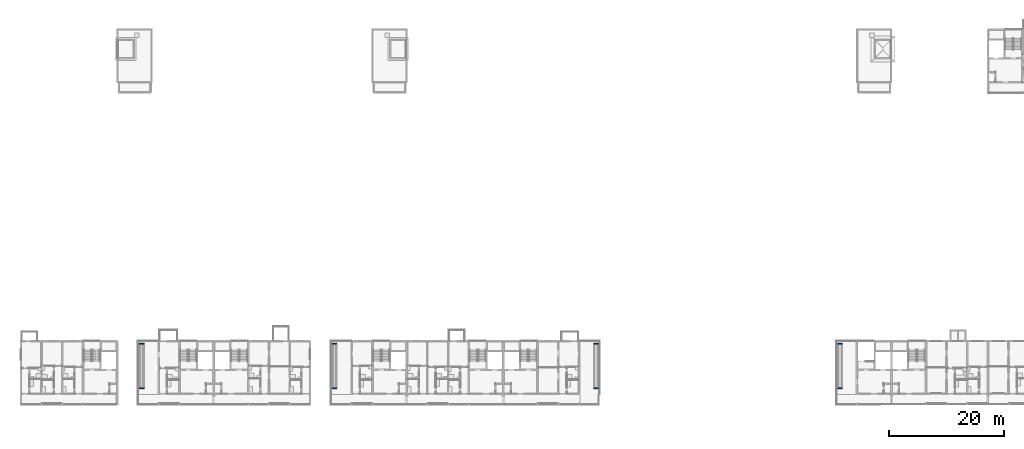
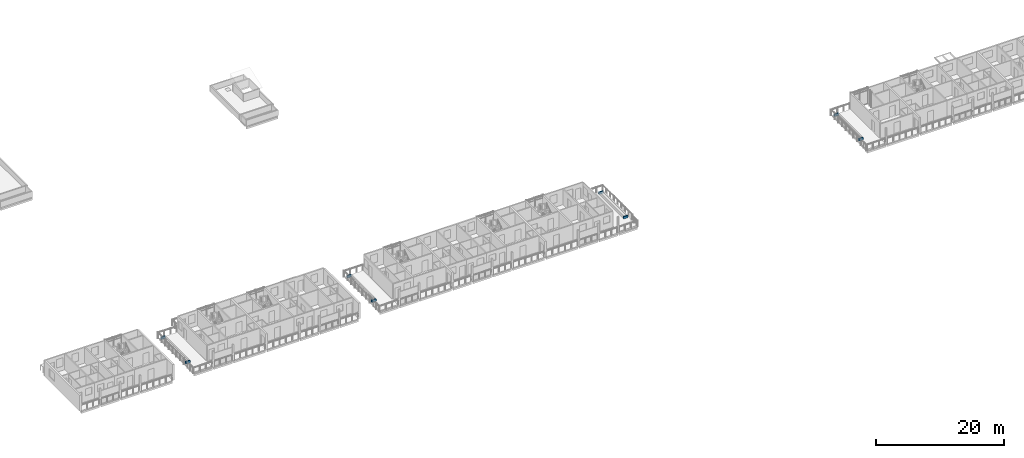
# One storey, part 41 of 64: 8 walls.
"""IFC4 building model written with IfcOpenShell, lengths in metres."""

import ifcopenshell
import ifcopenshell.guid

model = None  # the IFC model being written
_history = None  # IfcOwnerHistory: only IFC2X3 demands one
_inside = {}  # id of a spatial element -> (the spatial element, [elements in it])
_under = {}  # id of a project, library or spatial element -> (it, [spatial elements below it])
_declared = {}  # id of a project -> (the project, [libraries it declares])
_typed = {}  # id of a type object -> (the type object, [elements of that type])
_made_of = {}  # id of a material, layer set ... -> (it, [elements and type objects made of it])


def new_model(schema):
    """Start an empty IFC model of exactly this schema.

    Asked for "IFC4X3", IfcOpenShell would pick the latest addendum, in which some entities
    have other attributes; the version numbers below select the first issue.
    IFC2X3 requires an IfcOwnerHistory on every rooted entity: one is made here for all.
    """
    global model, _history
    if schema == "IFC4X3":
        model = ifcopenshell.file(schema_version=(4, 3, 0, 0))
    else:
        model = ifcopenshell.file(schema=schema)
    _inside.clear()
    _under.clear()
    _declared.clear()
    _typed.clear()
    _made_of.clear()
    _history = None
    if model.schema == "IFC2X3":
        org = make("IfcOrganization", Name="unknown")
        user = make(
            "IfcPersonAndOrganization",
            ThePerson=make("IfcPerson", FamilyName="unknown"),
            TheOrganization=org,
        )
        app = make(
            "IfcApplication",
            ApplicationDeveloper=org,
            Version="unknown",
            ApplicationFullName="unknown",
            ApplicationIdentifier="unknown",
        )
        _history = make(
            "IfcOwnerHistory",
            OwningUser=user,
            OwningApplication=app,
            ChangeAction="ADDED",
            CreationDate=0,
        )
    return model


def make(cls, **values):
    """One entity of the class cls with the attributes given. An attribute that is None is left unset."""
    return model.create_entity(
        cls, **{name: value for name, value in values.items() if value is not None}
    )


def rooted(cls, **values):
    """An entity with a GlobalId (a new one), such as an element, a storey or a relation."""
    return make(cls, GlobalId=ifcopenshell.guid.new(), OwnerHistory=_history, **values)


def si_unit(unit_type, name, prefix=None):
    """IfcSIUnit, for example si_unit("LENGTHUNIT", "METRE", prefix="MILLI")."""
    return make("IfcSIUnit", UnitType=unit_type, Prefix=prefix, Name=name)


def assignment(units):
    """IfcUnitAssignment: the units of a project."""
    return None if units is None else make("IfcUnitAssignment", Units=units)


def point(xyz):
    """IfcCartesianPoint."""
    return None if xyz is None else make("IfcCartesianPoint", Coordinates=xyz)


def direction(xyz):
    """IfcDirection."""
    return None if xyz is None else make("IfcDirection", DirectionRatios=xyz)


def frame(location, z_axis=None, x_axis=None):
    """IfcAxis2Placement3D, a coordinate frame: its origin and axes. An axis left out is left unset."""
    return make(
        "IfcAxis2Placement3D",
        Location=point(location),
        Axis=direction(z_axis),
        RefDirection=direction(x_axis),
    )


def frame_2d(location, x_axis=None):
    """IfcAxis2Placement2D, a coordinate frame in the plane: its origin and x axis."""
    return make(
        "IfcAxis2Placement2D", Location=point(location), RefDirection=direction(x_axis)
    )


def origin():
    """The frame at (0, 0, 0) with its axes left unset."""
    return frame((0.0, 0.0, 0.0))


def place(relative_to, where):
    """IfcLocalPlacement: puts the frame where relative to a parent placement (None: the world)."""
    return make(
        "IfcLocalPlacement", PlacementRelTo=relative_to, RelativePlacement=where
    )


def context(
    kind, dimensions, precision=None, world=None, true_north=None, identifier=None
):
    """IfcGeometricRepresentationContext, for example the 3D "Model" context."""
    return make(
        "IfcGeometricRepresentationContext",
        ContextIdentifier=identifier,
        ContextType=kind,
        CoordinateSpaceDimension=dimensions,
        Precision=precision,
        WorldCoordinateSystem=world,
        TrueNorth=true_north,
    )


def subcontext(parent, identifier, kind, view, scale=None):
    """IfcGeometricRepresentationSubContext, for example "Body" below "Model"."""
    return make(
        "IfcGeometricRepresentationSubContext",
        ContextIdentifier=identifier,
        ContextType=kind,
        ParentContext=parent,
        TargetScale=scale,
        TargetView=view,
    )


def project(units=None, contexts=None):
    """IfcProject with its units and contexts."""
    return rooted(
        "IfcProject",
        Name="project",
        RepresentationContexts=contexts,
        UnitsInContext=assignment(units),
    )


def spatial(cls, under=None, at=None, **own):
    """A site, building, storey or space (cls), placed at a placement, below another one or the project."""
    s = rooted(cls, ObjectPlacement=at, **own)
    if under is not None:
        _under.setdefault(under.id(), (under, []))[1].append(s)
    return s


def profile(cls, at=None, kind="AREA", **sizes):
    """A parametric profile (cls). Its sizes go by their IFC names, for example OverallWidth=200.0."""
    return make(cls, ProfileType=kind, Position=at, **sizes)


def rectangle(**sizes):
    """IfcRectangleProfileDef."""
    return profile("IfcRectangleProfileDef", **sizes)


def extrude(swept, where, along, depth):
    """IfcExtrudedAreaSolid: the profile swept, set in the frame where, extruded along a direction by depth."""
    return make(
        "IfcExtrudedAreaSolid",
        SweptArea=swept,
        Position=where,
        ExtrudedDirection=direction(along),
        Depth=depth,
    )


def shape(context_of_items, identifier, shape_type, items):
    """IfcShapeRepresentation: the items that make up one representation, for example the "Body"."""
    return make(
        "IfcShapeRepresentation",
        ContextOfItems=context_of_items,
        RepresentationIdentifier=identifier,
        RepresentationType=shape_type,
        Items=items,
    )


def material(Name=None, Category=None):
    """IfcMaterial."""
    return make("IfcMaterial", Name=Name, Category=Category)


def layer(
    of_material, thickness, ventilated=None, Name=None, Category=None, Priority=None
):
    """IfcMaterialLayer: one layer of a wall or slab, of a material (None: an air gap)."""
    return make(
        "IfcMaterialLayer",
        Material=of_material,
        LayerThickness=thickness,
        IsVentilated=ventilated,
        Name=Name,
        Category=Category,
        Priority=Priority,
    )


def layer_set(layers, Name=None):
    """IfcMaterialLayerSet."""
    return make("IfcMaterialLayerSet", MaterialLayers=layers, LayerSetName=Name)


def made_of(thing, what):
    """Note that an element or type object is made of a material, layer set ...; save() writes the relation."""
    if what is not None:
        _made_of.setdefault(what.id(), (what, []))[1].append(thing)
    return thing


def type_object(cls, material=None, **own):
    """A type object (cls), such as IfcWallType, which elements share."""
    return made_of(rooted(cls, **own), material)


def element(
    cls,
    number,
    at=None,
    inside=None,
    cuts=None,
    type_object=None,
    material=None,
    context=None,
    identifier="Body",
    shape_type=None,
    held_by="IfcProductDefinitionShape",
    body=None,
    shapes=None,
    **own,
):
    """One element of the class cls, such as IfcWall. Its Tag is "e" and its number.

    at: its placement. inside: the storey or other place that contains it. cuts: it is an
    opening in that element (IfcRelVoidsElement). A single representation is given by context,
    identifier, shape_type and body (its items); several are given by shapes. held_by: the class
    of the entity that holds the representations. save() writes the other relations.
    """
    e = rooted(cls, Tag="e%d" % number, ObjectPlacement=at, **own)
    if body is not None:
        shapes = [shape(context, identifier, shape_type, body)]
    if shapes is not None:
        e.Representation = make(held_by, Representations=shapes)
    if inside is not None:
        _inside.setdefault(inside.id(), (inside, []))[1].append(e)
    if cuts is not None:
        rooted(
            "IfcRelVoidsElement", RelatingBuildingElement=cuts, RelatedOpeningElement=e
        )
    if type_object is not None:
        _typed.setdefault(type_object.id(), (type_object, []))[1].append(e)
    return made_of(e, material)


def aggregate(whole, parts):
    """IfcRelAggregates: a whole, such as a stair, and the parts it consists of."""
    return rooted("IfcRelAggregates", RelatingObject=whole, RelatedObjects=parts)


def save(model, path):
    """Write the relations noted so far, then the file.

    IfcRelAggregates (storeys below a building ...), IfcRelContainedInSpatialStructure (elements
    in a storey), IfcRelDefinesByType, IfcRelAssociatesMaterial and IfcRelDeclares: one each for
    every whole, place, type object, material and project.
    """
    for whole, parts in _under.values():
        aggregate(whole, parts)
    for where, things in _inside.values():
        rooted(
            "IfcRelContainedInSpatialStructure",
            RelatedElements=things,
            RelatingStructure=where,
        )
    for kind, things in _typed.values():
        rooted("IfcRelDefinesByType", RelatedObjects=things, RelatingType=kind)
    for what, things in _made_of.values():
        rooted("IfcRelAssociatesMaterial", RelatedObjects=things, RelatingMaterial=what)
    for by, libraries in _declared.values():
        rooted("IfcRelDeclares", RelatingContext=by, RelatedDefinitions=libraries)
    model.write(path)


model = new_model("IFC4")

# Units and contexts
model_context = context("Model", 3, precision=1e-05, world=origin(), true_north=direction((0.0, 1.0)))
body_context = subcontext(model_context, "Body", "Model", "MODEL_VIEW")
ifc_project = project(units=[si_unit("LENGTHUNIT", "METRE"), si_unit("AREAUNIT", "SQUARE_METRE"), si_unit("VOLUMEUNIT", "CUBIC_METRE"), si_unit("PLANEANGLEUNIT", "RADIAN"), si_unit("MASSUNIT", "GRAM", prefix="KILO")], contexts=[model_context])

# Site, building, storey
site_placement = place(None, origin())
site = spatial("IfcSite", under=ifc_project, at=site_placement, CompositionType="ELEMENT")
building_placement = place(site_placement, origin())
building = spatial("IfcBuilding", under=site, at=building_placement, Name="Ridgestep Commons", CompositionType="ELEMENT")
storey_placement = place(building_placement, frame((0.0, 0.0, 33.0)))
storey = spatial("IfcBuildingStorey", under=building, at=storey_placement, Name="L11", CompositionType="ELEMENT", Elevation=33.0)

# Walls
ifc_material = material(Name="Facing brick", Category="masonry")
ifc_layer = layer(ifc_material, 0.199951171875)
ifc_layer_set = layer_set([ifc_layer], Name="Planter wall 200")
wall_type = type_object("IfcWallType", Name="Planter wall 200", PredefinedType="SOLIDWALL", material=ifc_layer_set)
for number, where, z_axis, x_axis, name in (
    (1, (32.64990234375, 14.64990234375, 0.010009765625), (0.0, 0.0, 1.0), (1.0, 0.0, 0.0), "Planter wall A2R2S"),
    (2, (32.64990234375, 22.35009765625, 0.010009765625), (0.0, 0.0, 1.0), (1.0, 0.0, 0.0), "Planter wall A2R2N"),
    (3, (66.25, 14.64990234375, 0.010009765625), (0.0, 0.0, 1.0), (1.0, 0.0, 0.0), "Planter wall A4R2S"),
    (4, (66.25, 22.35009765625, 0.010009765625), (0.0, 0.0, 1.0), (1.0, 0.0, 0.0), "Planter wall A4R2N"),
    (5, (111.75, 14.64990234375, 0.010009765625), (0.0, 0.0, 1.0), (1.0, 0.0, 0.0), "Planter wall A6R1S"),
    (6, (111.75, 22.35009765625, 0.010009765625), (0.0, 0.0, 1.0), (1.0, 0.0, 0.0), "Planter wall A6R1N"),
    (7, (154.25, 14.64990234375, 0.010009765625), (0.0, 0.0, 1.0), (1.0, 0.0, 0.0), "Planter wall D1R3S"),
    (8, (154.25, 22.35009765625, 0.010009765625), (0.0, 0.0, 1.0), (1.0, 0.0, 0.0), "Planter wall D1R3N"),
):
    element("IfcWall", number, at=place(storey_placement, frame(where, z_axis=z_axis, x_axis=x_axis)), inside=storey, type_object=wall_type, Name=name, PredefinedType="SOLIDWALL", context=body_context, shape_type="SweptSolid", body=[
        extrude(rectangle(XDim=0.800048828125, YDim=0.199951171875, at=frame_2d((0.39990234375, 0.0))), origin(), (0.0, 0.0, 1.0), 0.449951171875),
    ])

save(model, "model.ifc")
